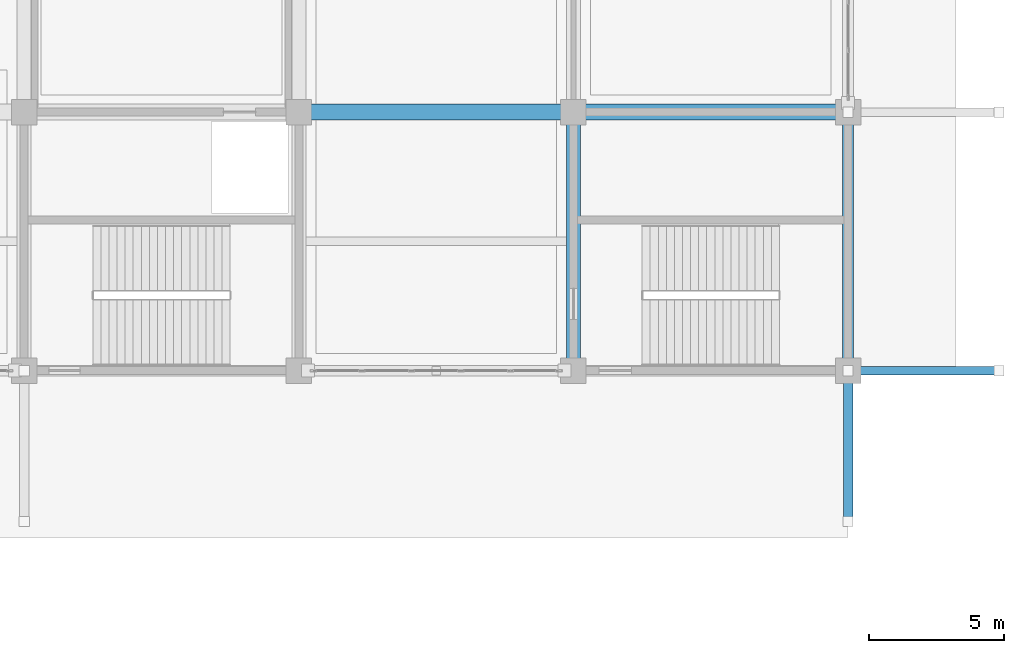
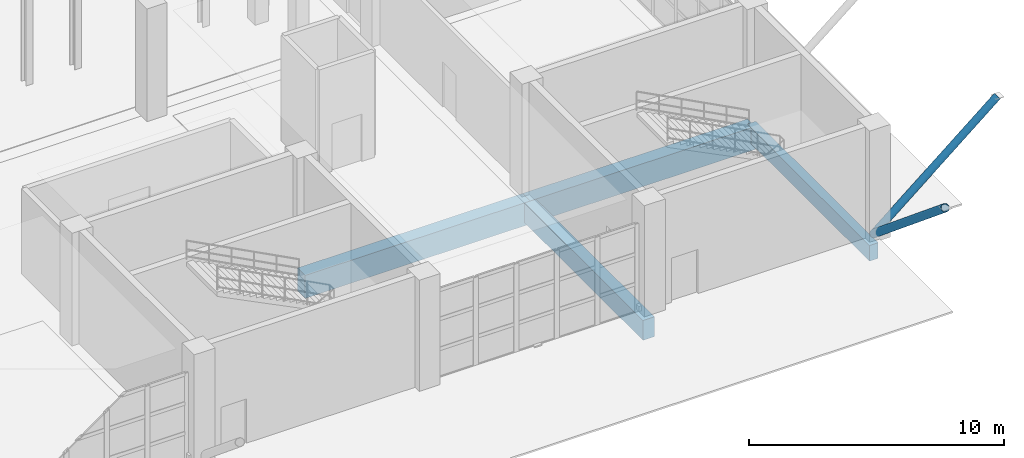
# One storey, part 60 of 124: 4 beams, 2 members.
"""IFC4 building model written with IfcOpenShell, lengths in metres."""

from ifc_helpers import new_model, si_unit, direction, frame, origin, origin_2d, place, context, subcontext, project, spatial, rectangle, hollow_circle, extrude, material, material_profile, profile_set, type_object, element, save


model = new_model("IFC4")

# Units and contexts
model_context = context("Model", 3, precision=1e-05, world=origin(), true_north=direction((0.0, 1.0)))
body_context = subcontext(model_context, "Body", "Model", "MODEL_VIEW")
ifc_project = project(units=[si_unit("LENGTHUNIT", "METRE"), si_unit("AREAUNIT", "SQUARE_METRE"), si_unit("VOLUMEUNIT", "CUBIC_METRE"), si_unit("PLANEANGLEUNIT", "RADIAN"), si_unit("MASSUNIT", "GRAM", prefix="KILO")], contexts=[model_context])

# Site, building, storey
site_placement = place(None, origin())
site = spatial("IfcSite", under=ifc_project, at=site_placement, CompositionType="ELEMENT")
building_placement = place(site_placement, origin())
building = spatial("IfcBuilding", under=site, at=building_placement, Name="Brelvane Convention Centre", CompositionType="ELEMENT")
storey_placement = place(building_placement, origin())
storey = spatial("IfcBuildingStorey", under=building, at=storey_placement, Name="L00", CompositionType="ELEMENT", Elevation=0.0)

# Beams
ifc_material_1 = material(Name="Concrete M50", Category="concrete")
ifc_material_profile_1 = material_profile(ifc_material_1, rectangle(XDim=0.60009765625, YDim=1.10009765625, at=origin_2d()), Name="RC 600x1100")
ifc_profile_set_1 = profile_set([ifc_material_profile_1], Name="Concrete M50")
beam_type_1 = type_object("IfcBeamType", Name="RC Beam B-RC2 (RC 600x1100)", PredefinedType="BEAM", material=ifc_profile_set_1)
for number, where, z_axis, x_axis, name in (
    (1, (204.0, 28.800048828125, -1.010009765625), (1.0, 0.0, 0.0), (0.0, 1.0, 0.0), "L00 Beam 21-22/D"),
    (2, (214.199951171875, 28.800048828125, -1.010009765625), (1.0, 0.0, 0.0), (0.0, 1.0, 0.0), "L00 Beam 22-23/D"),
):
    element("IfcBeam", number, at=place(storey_placement, frame(where, z_axis=z_axis, x_axis=x_axis)), inside=storey, type_object=beam_type_1, Name=name, PredefinedType="BEAM", context=body_context, shape_type="SweptSolid", body=[
        extrude(rectangle(XDim=0.60009765625, YDim=1.10009765625, at=origin_2d()), origin(), (0.0, 0.0, 1.0), 10.199951171875),
    ])
ifc_material_2 = material(Name="Concrete M50", Category="concrete")
ifc_material_profile_2 = material_profile(ifc_material_2, rectangle(XDim=0.52001953125, YDim=0.949951171875, at=origin_2d()), Name="RC 520x950")
ifc_profile_set_2 = profile_set([ifc_material_profile_2], Name="Concrete M50")
beam_type_2 = type_object("IfcBeamType", Name="RC Beam B-RC9 (RC 520x950)", PredefinedType="BEAM", material=ifc_profile_set_2)
beam_1_placement = place(storey_placement, frame((214.199951171875, 19.199951171875, -0.93505859375), z_axis=(0.0, 1.0, 0.0), x_axis=(-1.0, 0.0, 0.0)))
element("IfcBeam", 3, at=beam_1_placement, inside=storey, type_object=beam_type_2, Name="L00 Girder 22/C-D", PredefinedType="BEAM", context=body_context, shape_type="SweptSolid", body=[
    extrude(rectangle(XDim=0.52001953125, YDim=0.949951171875, at=origin_2d()), origin(), (0.0, 0.0, 1.0), 9.60009765625),
])
ifc_material_3 = material(Name="Concrete M40", Category="concrete")
ifc_material_profile_3 = material_profile(ifc_material_3, rectangle(XDim=0.39990234375, YDim=0.75, at=origin_2d()), Name="RC 400x750")
ifc_profile_set_3 = profile_set([ifc_material_profile_3], Name="Concrete M40")
beam_type_3 = type_object("IfcBeamType", Name="RC Spandrel SP-RC1 (RC 400x750)", PredefinedType="SPANDREL", material=ifc_profile_set_3)
beam_2_placement = place(storey_placement, frame((224.39990234375, 19.199951171875, -0.8349609375), z_axis=(0.0, 1.0, 0.0), x_axis=(-1.0, 0.0, 0.0)))
element("IfcBeam", 4, at=beam_2_placement, inside=storey, type_object=beam_type_3, Name="L00 Girder 23/C-D", PredefinedType="SPANDREL", context=body_context, shape_type="SweptSolid", body=[
    extrude(rectangle(XDim=0.39990234375, YDim=0.75, at=origin_2d()), origin(), (0.0, 0.0, 1.0), 9.60009765625),
])

# Members
ifc_material_4 = material(Name="Steel E450 (450 MPa)", Category="steel")
ifc_material_profile_4 = material_profile(ifc_material_4, hollow_circle(Radius=0.177734375, WallThickness=0.01611328125, at=origin_2d()), Name="CHS 355.6x16.0")
ifc_profile_set_4 = profile_set([ifc_material_profile_4], Name="Steel E450 (450 MPa)")
member_type_1 = type_object("IfcMemberType", Name="Steel Strut HS-ST1 (CHS 355.6x16.0)", PredefinedType="STRUT", material=ifc_profile_set_4)
member_1_placement = place(storey_placement, frame((224.39990234375, 19.199951171875, 0.050048828125), z_axis=(0.0, -0.770696995363, 0.637201805819), x_axis=(1.0, 0.0, 0.0)))
element("IfcMember", 5, at=member_1_placement, inside=storey, type_object=member_type_1, Name="Hull Overhang Raked Strut L00 V1-23", PredefinedType="STRUT", context=body_context, shape_type="SweptSolid", body=[
    extrude(hollow_circle(Radius=0.177734375, WallThickness=0.01611328125, at=origin_2d()), origin(), (0.0, 0.0, 1.0), 7.265869140625),
])
ifc_material_5 = material(Name="Steel E450 (450 MPa)", Category="steel")
ifc_material_profile_5 = material_profile(ifc_material_5, hollow_circle(Radius=0.161865234375, WallThickness=0.012451171875, at=origin_2d()), Name="CHS 323.9x12.5")
ifc_profile_set_5 = profile_set([ifc_material_profile_5], Name="Steel E450 (450 MPa)")
member_type_2 = type_object("IfcMemberType", Name="Steel Strut HS-ST2 (CHS 323.9x12.5)", PredefinedType="STRUT", material=ifc_profile_set_5)
member_2_placement = place(storey_placement, frame((224.39990234375, 19.199951171875, 0.050048828125), z_axis=(0.770710637556, 0.0, 0.637185305197), x_axis=(0.0, 1.0, 0.0)))
element("IfcMember", 6, at=member_2_placement, inside=storey, type_object=member_type_2, Name="Plenary East Overhang Raked Strut L01 Y19", PredefinedType="STRUT", context=body_context, shape_type="SweptSolid", body=[
    extrude(hollow_circle(Radius=0.161865234375, WallThickness=0.012451171875, at=origin_2d()), origin(), (0.0, 0.0, 1.0), 7.26611328125),
])

save(model, "model.ifc")
